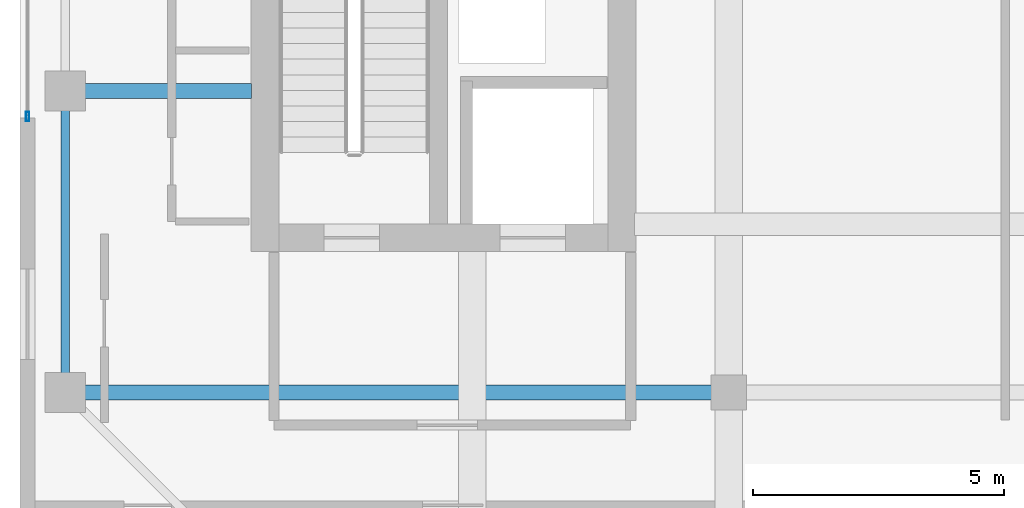
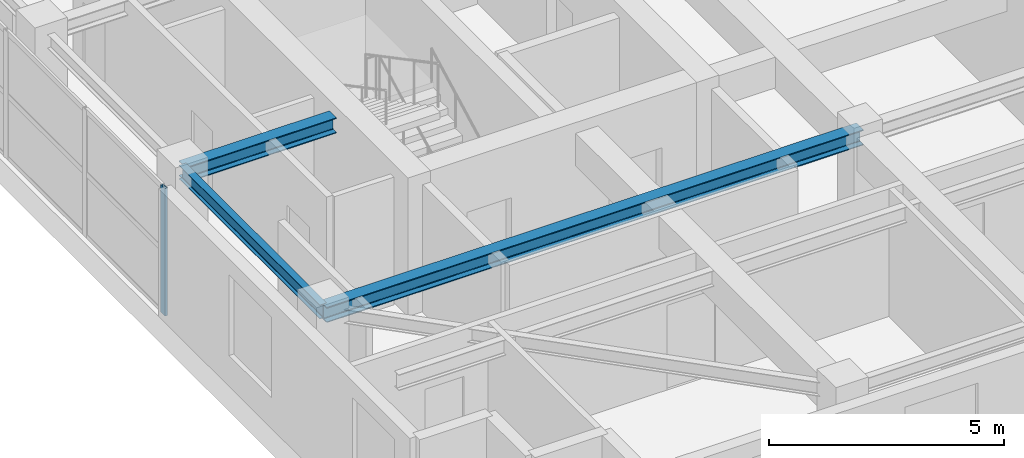
# One storey, part 3 of 21: 3 beams, 1 member, 1 element without a shape of its own.
"""IFC4 building model written with IfcOpenShell, lengths in metres."""

from ifc_helpers import new_model, si_unit, direction, frame, origin, origin_2d, place, context, subcontext, project, spatial, hollow_rectangle, i_section, extrude, source, transform, mapped, material, layer, layer_set, material_profile, profile_set, type_object, element, aggregate, save


model = new_model("IFC4")

# Units and contexts
model_context = context("Model", 3, precision=1e-05, world=origin(), true_north=direction((0.0, 1.0)))
body_context = subcontext(model_context, "Body", "Model", "MODEL_VIEW")
ifc_project = project(units=[si_unit("LENGTHUNIT", "METRE"), si_unit("AREAUNIT", "SQUARE_METRE"), si_unit("VOLUMEUNIT", "CUBIC_METRE"), si_unit("PLANEANGLEUNIT", "RADIAN"), si_unit("MASSUNIT", "GRAM", prefix="KILO")], contexts=[model_context])

# Site, building, storey
site_placement = place(None, origin())
site = spatial("IfcSite", under=ifc_project, at=site_placement, CompositionType="ELEMENT")
building_placement = place(site_placement, origin())
building = spatial("IfcBuilding", under=site, at=building_placement, Name="Khoralis Quay Care Tower", CompositionType="ELEMENT")
storey_placement = place(building_placement, frame((0.0, 0.0, 267.300048828125)))
storey = spatial("IfcBuildingStorey", under=building, at=storey_placement, Name="L70", CompositionType="ELEMENT", Elevation=267.300048828125)

# Beams
ifc_material_1 = material(Name="Steel S355", Category="steel")
ifc_material_profile_1 = material_profile(ifc_material_1, i_section(OverallWidth=0.169921875, OverallDepth=0.360107421875, WebThickness=0.008056640625, FlangeThickness=0.0126953125, FilletRadius=0.01806640625, at=origin_2d()), Name="Steel S355")
ifc_profile_set_1 = profile_set([ifc_material_profile_1], Name="Steel S355")
beam_type_1 = type_object("IfcBeamType", Name="BM-IPE360", PredefinedType="SPANDREL", material=ifc_profile_set_1)
shared_shape_1 = source(origin(), body_context, "Body", "SweptSolid", [
    extrude(i_section(OverallWidth=0.169921875, OverallDepth=0.360107421875, WebThickness=0.008056640625, FlangeThickness=0.0126953125, FilletRadius=0.01806640625, at=origin_2d()), origin(), (0.0, 0.0, 1.0), 6.0),
])
beam_1_placement = place(storey_placement, frame((3.89990234375, 12.0, 3.139892578125), z_axis=(0.0, 1.0, 0.0), x_axis=(-1.0, 0.0, 0.0)))
element("IfcBeam", 1, at=beam_1_placement, inside=storey, type_object=beam_type_1, Name="BM-TSP-L70-09", PredefinedType="SPANDREL", context=body_context, shape_type="MappedRepresentation", body=[
    mapped(shared_shape_1, transform((0.0, 0.0, 0.0), scale=1.0)),
])
ifc_material_profile_2 = material_profile(ifc_material_1, i_section(OverallWidth=0.300048828125, OverallDepth=0.39990234375, WebThickness=0.013427734375, FlangeThickness=0.02392578125, FilletRadius=0.027099609375, at=origin_2d()), Name="Steel S355")
ifc_profile_set_2 = profile_set([ifc_material_profile_2], Name="Steel S355")
beam_type_2 = type_object("IfcBeamType", Name="BM-HEB400", PredefinedType="BEAM", material=ifc_profile_set_2)
shared_shape_2 = source(origin(), body_context, "Body", "SweptSolid", [
    extrude(i_section(OverallWidth=0.300048828125, OverallDepth=0.39990234375, WebThickness=0.013427734375, FlangeThickness=0.02392578125, FilletRadius=0.027099609375, at=origin_2d()), origin(), (0.0, 0.0, 1.0), 13.2001953125),
])
beam_2_placement = place(storey_placement, frame((3.89990234375, 12.0, 3.119873046875), z_axis=(1.0, 0.0, 0.0), x_axis=(0.0, 1.0, 0.0)))
element("IfcBeam", 2, at=beam_2_placement, inside=storey, type_object=beam_type_2, Name="BM-TGXW-L70-120", PredefinedType="BEAM", context=body_context, shape_type="MappedRepresentation", body=[
    mapped(shared_shape_2, transform((0.0, 0.0, 0.0), scale=1.0)),
])
shared_shape_3 = source(origin(), body_context, "Body", "SweptSolid", [
    extrude(i_section(OverallWidth=0.300048828125, OverallDepth=0.39990234375, WebThickness=0.013427734375, FlangeThickness=0.02392578125, FilletRadius=0.027099609375, at=origin_2d()), origin(), (0.0, 0.0, 1.0), 3.7021484375),
])
beam_3_placement = place(storey_placement, frame((3.89990234375, 18.0, 3.119873046875), z_axis=(1.0, 0.0, 0.0), x_axis=(0.0, 1.0, 0.0)))
element("IfcBeam", 3, at=beam_3_placement, inside=storey, type_object=beam_type_2, Name="BM-TGXW-L70-180", PredefinedType="BEAM", context=body_context, shape_type="MappedRepresentation", body=[
    mapped(shared_shape_3, transform((0.0, 0.0, 0.0), scale=1.0)),
])

# Curtain wall, member
ifc_material_2 = material(Name="Pale anodised aluminium", Category="aluminium")
ifc_layer = layer(ifc_material_2, 0.159912109375)
ifc_layer_set = layer_set([ifc_layer], Name="Pale anodised aluminium")
curtain_wall_type = type_object("IfcCurtainWallType", Name="CW-SYS-Z3", PredefinedType="NOTDEFINED", material=ifc_layer_set)
curtain_wall_placement = place(storey_placement, origin())
curtain_wall = element("IfcCurtainWall", 4, at=curtain_wall_placement, inside=storey, type_object=curtain_wall_type, Name="L70 Unitised Curtain Wall CW-L70-P1-E15", PredefinedType="NOTDEFINED")
ifc_material_profile_3 = material_profile(ifc_material_2, hollow_rectangle(XDim=0.06494140625, YDim=0.179931640625, WallThickness=0.00390625, at=origin_2d()), Name="Pale anodised aluminium")
ifc_profile_set_3 = profile_set([ifc_material_profile_3], Name="Pale anodised aluminium")
member_type = type_object("IfcMemberType", Name="CW-MUL-180", PredefinedType="MULLION", material=ifc_profile_set_3)
shared_shape_4 = source(origin(), body_context, "Body", "SweptSolid", [
    extrude(hollow_rectangle(XDim=0.06494140625, YDim=0.179931640625, WallThickness=0.00390625, at=origin_2d()), origin(), (0.0, 0.0, 1.0), 3.320068359375),
])
member_placement = place(storey_placement, frame((3.14990234375, 17.489990234375, 0.0), z_axis=(0.0, 0.0, 1.0), x_axis=(1.0, 0.0, 0.0)))
member = element("IfcMember", 5, at=member_placement, type_object=member_type, Name="CW3 mullion 4", PredefinedType="MULLION", context=body_context, shape_type="MappedRepresentation", body=[
    mapped(shared_shape_4, transform((0.0, 0.0, 0.0), scale=1.0)),
])
aggregate(curtain_wall, [member])

save(model, "model.ifc")
